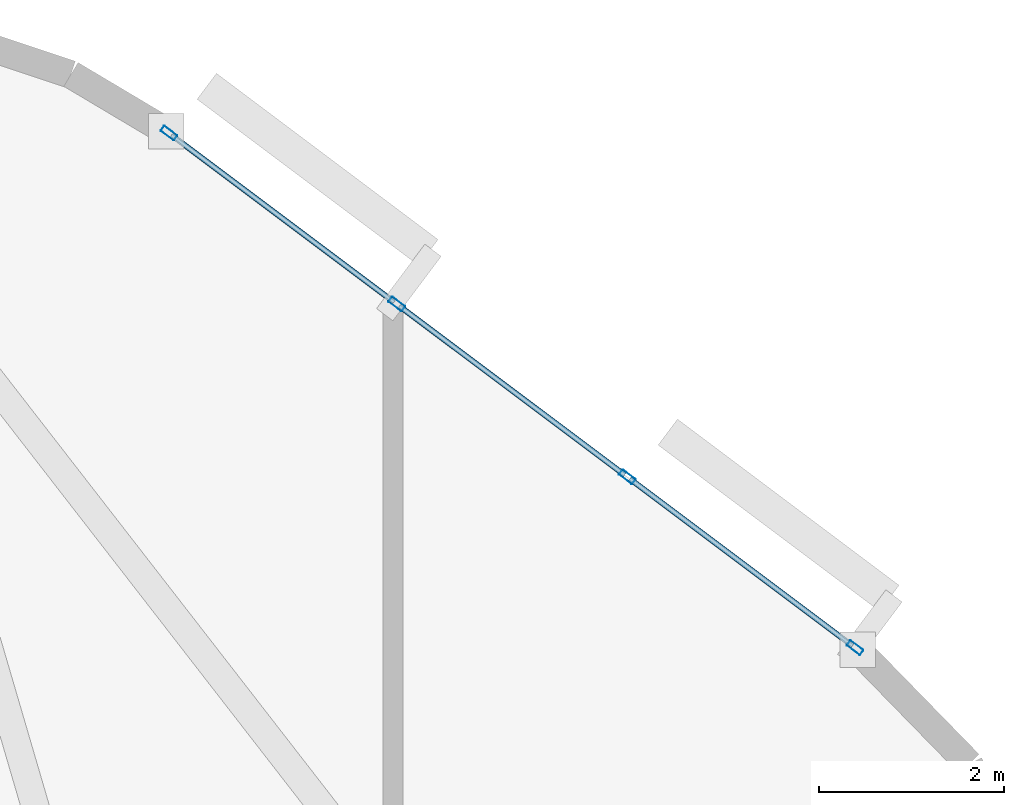
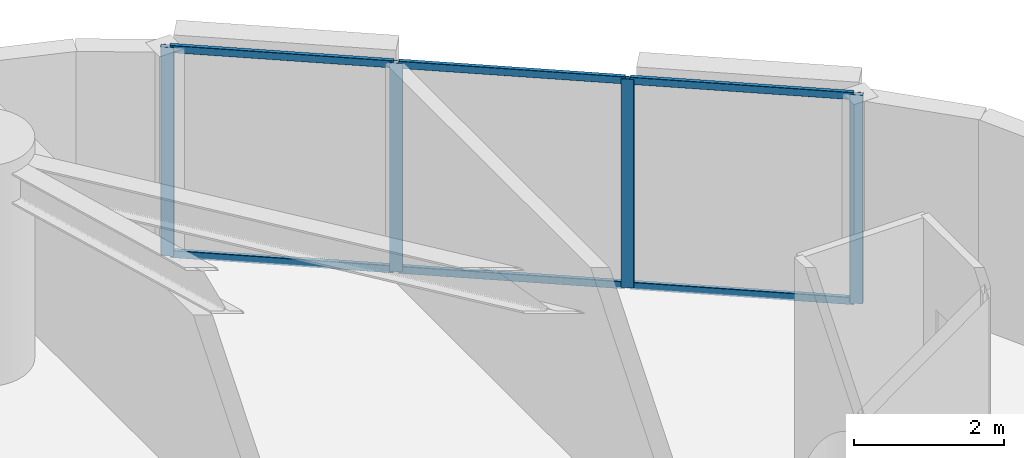
# One storey, part 8 of 16: 10 members, 1 element without a shape of its own.
"""IFC4 building model written with IfcOpenShell, lengths in metres."""

from ifc_helpers import new_model, si_unit, direction, frame, origin, origin_2d, place, context, subcontext, project, spatial, hollow_rectangle, extrude, material, layer, layer_set, material_profile, profile_set, type_object, element, aggregate, save


model = new_model("IFC4")

# Units and contexts
model_context = context("Model", 3, precision=1e-05, world=origin(), true_north=direction((0.0, 1.0)))
body_context = subcontext(model_context, "Body", "Model", "MODEL_VIEW")
ifc_project = project(units=[si_unit("LENGTHUNIT", "METRE"), si_unit("AREAUNIT", "SQUARE_METRE"), si_unit("VOLUMEUNIT", "CUBIC_METRE"), si_unit("PLANEANGLEUNIT", "RADIAN"), si_unit("MASSUNIT", "GRAM", prefix="KILO")], contexts=[model_context])

# Site, building, storey
site_placement = place(None, origin())
site = spatial("IfcSite", under=ifc_project, at=site_placement, CompositionType="ELEMENT")
building_placement = place(site_placement, origin())
building = spatial("IfcBuilding", under=site, at=building_placement, Name="An Khanh Terracotta Commons", CompositionType="ELEMENT")
storey_placement = place(building_placement, frame((0.0, 0.0, 89.89990234375)))
storey = spatial("IfcBuildingStorey", under=building, at=storey_placement, Name="L23", CompositionType="ELEMENT", Elevation=89.89990234375)

# Curtain wall, members
ifc_material = material(Name="Anodised Aluminium 6063-T6", Category="aluminium")
ifc_layer = layer(ifc_material, 0.199951171875, Name="Anodised Aluminium 6063-T6")
ifc_layer_set = layer_set([ifc_layer], Name="Anodised Aluminium 6063-T6")
curtain_wall_type = type_object("IfcCurtainWallType", Name="CW-SYS-02", PredefinedType="USERDEFINED", material=ifc_layer_set)
curtain_wall_placement = place(storey_placement, origin())
curtain_wall = element("IfcCurtainWall", 1, at=curtain_wall_placement, inside=storey, type_object=curtain_wall_type, Name="L23 CW-02 Unitised Curtain Wall CW-L23-16", ObjectType="UNITISED CURTAIN WALL", PredefinedType="USERDEFINED")
ifc_material_profile_1 = material_profile(ifc_material, hollow_rectangle(XDim=0.070068359375, YDim=0.179931640625, WallThickness=0.00390625, InnerFilletRadius=0.00390625, OuterFilletRadius=0.008056640625, at=origin_2d()), Name="RHS180x70x4")
ifc_profile_set_1 = profile_set([ifc_material_profile_1], Name="Anodised Aluminium 6063-T6")
member_type_1 = type_object("IfcMemberType", Name="CWM-RHS180x70x4", PredefinedType="MULLION", material=ifc_profile_set_1)
member_1_placement = place(storey_placement, frame((55.132080078125, 37.10107421875, 0.0), z_axis=(0.0, 0.0, 1.0), x_axis=(-0.599982857492, -0.800012856594, 0.0)))
member_1 = element("IfcMember", 2, at=member_1_placement, type_object=member_type_1, Name="CW-02 mullion 1", PredefinedType="MULLION", context=body_context, shape_type="SweptSolid", body=[
    extrude(hollow_rectangle(XDim=0.070068359375, YDim=0.179931640625, WallThickness=0.00390625, InnerFilletRadius=0.00390625, OuterFilletRadius=0.008056640625, at=origin_2d()), origin(), (0.0, 0.0, 1.0), 3.400146484375),
])
member_2_placement = place(storey_placement, frame((52.6708984375, 38.94677734375, 0.0), z_axis=(0.0, 0.0, 1.0), x_axis=(-0.599982857492, -0.800012856594, 0.0)))
member_2 = element("IfcMember", 3, at=member_2_placement, type_object=member_type_1, Name="CW-02 mullion 2", PredefinedType="MULLION", context=body_context, shape_type="SweptSolid", body=[
    extrude(hollow_rectangle(XDim=0.070068359375, YDim=0.179931640625, WallThickness=0.00390625, InnerFilletRadius=0.00390625, OuterFilletRadius=0.008056640625, at=origin_2d()), origin(), (0.0, 0.0, 1.0), 3.400146484375),
])
member_3_placement = place(storey_placement, frame((50.181884765625, 40.813232421875, 0.0), z_axis=(0.0, 0.0, 1.0), x_axis=(-0.599982857492, -0.800012856594, 0.0)))
member_3 = element("IfcMember", 4, at=member_3_placement, type_object=member_type_1, Name="CW-02 mullion 3", PredefinedType="MULLION", context=body_context, shape_type="SweptSolid", body=[
    extrude(hollow_rectangle(XDim=0.070068359375, YDim=0.179931640625, WallThickness=0.00390625, InnerFilletRadius=0.00390625, OuterFilletRadius=0.008056640625, at=origin_2d()), origin(), (0.0, 0.0, 1.0), 3.400146484375),
])
member_4_placement = place(storey_placement, frame((47.720947265625, 42.658935546875, 0.0), z_axis=(0.0, 0.0, 1.0), x_axis=(-0.599982857492, -0.800012856594, 0.0)))
member_4 = element("IfcMember", 5, at=member_4_placement, type_object=member_type_1, Name="CW-02 mullion 4", PredefinedType="MULLION", context=body_context, shape_type="SweptSolid", body=[
    extrude(hollow_rectangle(XDim=0.070068359375, YDim=0.179931640625, WallThickness=0.00390625, InnerFilletRadius=0.00390625, OuterFilletRadius=0.008056640625, at=origin_2d()), origin(), (0.0, 0.0, 1.0), 3.400146484375),
])
ifc_material_profile_2 = material_profile(ifc_material, hollow_rectangle(XDim=0.06005859375, YDim=0.1201171875, WallThickness=0.003662109375, InnerFilletRadius=0.003662109375, OuterFilletRadius=0.007080078125, at=origin_2d()), Name="RHS120x60x3.6")
ifc_profile_set_2 = profile_set([ifc_material_profile_2], Name="Anodised Aluminium 6063-T6")
member_type_2 = type_object("IfcMemberType", Name="CWT-RHS120x60x3.6", PredefinedType="USERDEFINED", material=ifc_profile_set_2)
member_5_placement = place(storey_placement, frame((55.10400390625, 37.1220703125, 0.030029296875), z_axis=(-0.800009745217, 0.599987006158, 0.0), x_axis=(-0.599987006158, -0.800009745217, 0.0)))
member_5 = element("IfcMember", 6, at=member_5_placement, type_object=member_type_2, Name="CW-02 transom 1.1", ObjectType="TRANSOM", PredefinedType="USERDEFINED", context=body_context, shape_type="SweptSolid", body=[
    extrude(hollow_rectangle(XDim=0.06005859375, YDim=0.1201171875, WallThickness=0.003662109375, InnerFilletRadius=0.003662109375, OuterFilletRadius=0.007080078125, at=origin_2d()), origin(), (0.0, 0.0, 1.0), 3.00634765625),
])
member_6_placement = place(storey_placement, frame((55.10400390625, 37.1220703125, 3.3701171875), z_axis=(-0.800009745217, 0.599987006158, 0.0), x_axis=(-0.599987006158, -0.800009745217, 0.0)))
member_6 = element("IfcMember", 7, at=member_6_placement, type_object=member_type_2, Name="CW-02 transom 1.2", ObjectType="TRANSOM", PredefinedType="USERDEFINED", context=body_context, shape_type="SweptSolid", body=[
    extrude(hollow_rectangle(XDim=0.06005859375, YDim=0.1201171875, WallThickness=0.003662109375, InnerFilletRadius=0.003662109375, OuterFilletRadius=0.007080078125, at=origin_2d()), origin(), (0.0, 0.0, 1.0), 3.00634765625),
])
member_7_placement = place(storey_placement, frame((52.64306640625, 38.9677734375, 0.030029296875), z_axis=(-0.800057796972, 0.599922929638, 0.0), x_axis=(-0.599922929638, -0.800057796972, 0.0)))
member_7 = element("IfcMember", 8, at=member_7_placement, type_object=member_type_2, Name="CW-02 transom 2.1", ObjectType="TRANSOM", PredefinedType="USERDEFINED", context=body_context, shape_type="SweptSolid", body=[
    extrude(hollow_rectangle(XDim=0.06005859375, YDim=0.1201171875, WallThickness=0.003662109375, InnerFilletRadius=0.003662109375, OuterFilletRadius=0.007080078125, at=origin_2d()), origin(), (0.0, 0.0, 1.0), 3.041259765625),
])
member_8_placement = place(storey_placement, frame((52.64306640625, 38.9677734375, 3.3701171875), z_axis=(-0.800057796972, 0.599922929638, 0.0), x_axis=(-0.599922929638, -0.800057796972, 0.0)))
member_8 = element("IfcMember", 9, at=member_8_placement, type_object=member_type_2, Name="CW-02 transom 2.2", ObjectType="TRANSOM", PredefinedType="USERDEFINED", context=body_context, shape_type="SweptSolid", body=[
    extrude(hollow_rectangle(XDim=0.06005859375, YDim=0.1201171875, WallThickness=0.003662109375, InnerFilletRadius=0.003662109375, OuterFilletRadius=0.007080078125, at=origin_2d()), origin(), (0.0, 0.0, 1.0), 3.041259765625),
])
member_9_placement = place(storey_placement, frame((50.154052734375, 40.834228515625, 0.030029296875), z_axis=(-0.800009745217, 0.599987006158, 0.0), x_axis=(-0.599987006158, -0.800009745217, 0.0)))
member_9 = element("IfcMember", 10, at=member_9_placement, type_object=member_type_2, Name="CW-02 transom 3.1", ObjectType="TRANSOM", PredefinedType="USERDEFINED", context=body_context, shape_type="SweptSolid", body=[
    extrude(hollow_rectangle(XDim=0.06005859375, YDim=0.1201171875, WallThickness=0.003662109375, InnerFilletRadius=0.003662109375, OuterFilletRadius=0.007080078125, at=origin_2d()), origin(), (0.0, 0.0, 1.0), 3.00634765625),
])
member_10_placement = place(storey_placement, frame((50.154052734375, 40.834228515625, 3.3701171875), z_axis=(-0.800009745217, 0.599987006158, 0.0), x_axis=(-0.599987006158, -0.800009745217, 0.0)))
member_10 = element("IfcMember", 11, at=member_10_placement, type_object=member_type_2, Name="CW-02 transom 3.2", ObjectType="TRANSOM", PredefinedType="USERDEFINED", context=body_context, shape_type="SweptSolid", body=[
    extrude(hollow_rectangle(XDim=0.06005859375, YDim=0.1201171875, WallThickness=0.003662109375, InnerFilletRadius=0.003662109375, OuterFilletRadius=0.007080078125, at=origin_2d()), origin(), (0.0, 0.0, 1.0), 3.00634765625),
])
aggregate(curtain_wall, [member_1, member_2, member_3, member_4, member_5, member_6, member_7, member_8, member_9, member_10])

save(model, "model.ifc")
